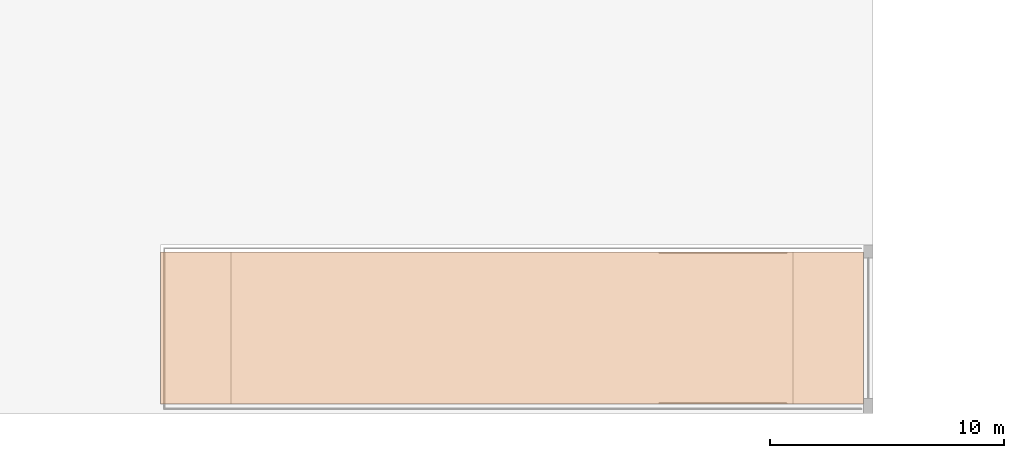
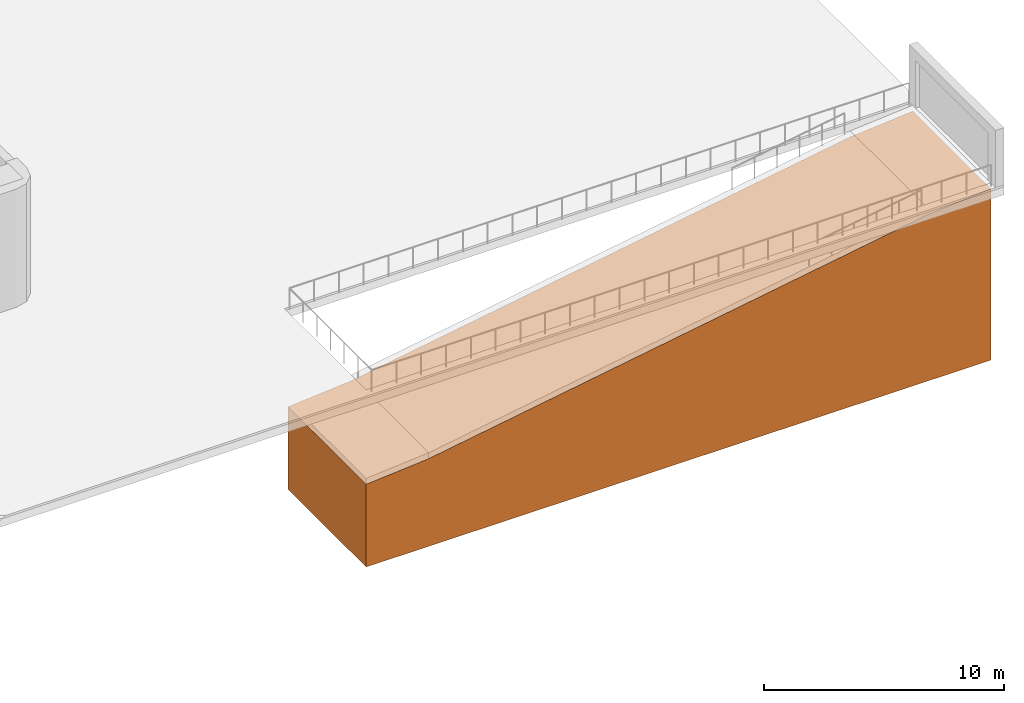
# One storey, part 21 of 21: 1 proxy.
"""IFC4 building model written with IfcOpenShell, lengths in metres."""

from ifc_helpers import new_model, si_unit, direction, frame, origin, place, context, subcontext, project, spatial, polyline, outline, extrude, material, type_object, element, save


model = new_model("IFC4")

# Units and contexts
model_context = context("Model", 3, precision=1e-05, world=origin(), true_north=direction((0.0, 1.0)))
body_context = subcontext(model_context, "Body", "Model", "MODEL_VIEW")
ifc_project = project(units=[si_unit("LENGTHUNIT", "METRE"), si_unit("AREAUNIT", "SQUARE_METRE"), si_unit("VOLUMEUNIT", "CUBIC_METRE"), si_unit("PLANEANGLEUNIT", "RADIAN"), si_unit("MASSUNIT", "GRAM", prefix="KILO")], contexts=[model_context])

# Site, building, storey
site_placement = place(None, origin())
site = spatial("IfcSite", under=ifc_project, at=site_placement, CompositionType="ELEMENT")
building_placement = place(site_placement, origin())
building = spatial("IfcBuilding", under=site, at=building_placement, Name="Qaws Garden Tower", CompositionType="ELEMENT")
storey_placement = place(building_placement, origin())
storey = spatial("IfcBuildingStorey", under=building, at=storey_placement, Name="L00", CompositionType="ELEMENT", Elevation=0.0)

# Proxy
ifc_material = material(Name="Compacted fill")
building_element_proxy_type = type_object("IfcBuildingElementProxyType", Name="Compacted fill", PredefinedType="NOTDEFINED", material=ifc_material)
proxy_placement = place(storey_placement, frame((109.60009765625, -10.35009765625, -9.0), z_axis=(0.0, 0.0, 1.0), x_axis=(-1.0, 0.0, 0.0)))
element("IfcBuildingElementProxy", 1, at=proxy_placement, inside=storey, type_object=building_element_proxy_type, Name="Compacted fill below R1", PredefinedType="NOTDEFINED", context=body_context, shape_type="SweptSolid", body=[
    extrude(outline(polyline([(0.0, 0.0), (30.0, 0.0), (30.0, 4.199951171875), (27.0, 4.449951171875), (3.0, 8.449951171875), (0.0, 8.699951171875), (0.0, 0.0)])), frame((0.0, 3.25, 0.0), z_axis=(0.0, -1.0, 0.0), x_axis=(1.0, 0.0, 0.0)), (0.0, 0.0, 1.0), 6.5),
])

save(model, "model.ifc")
